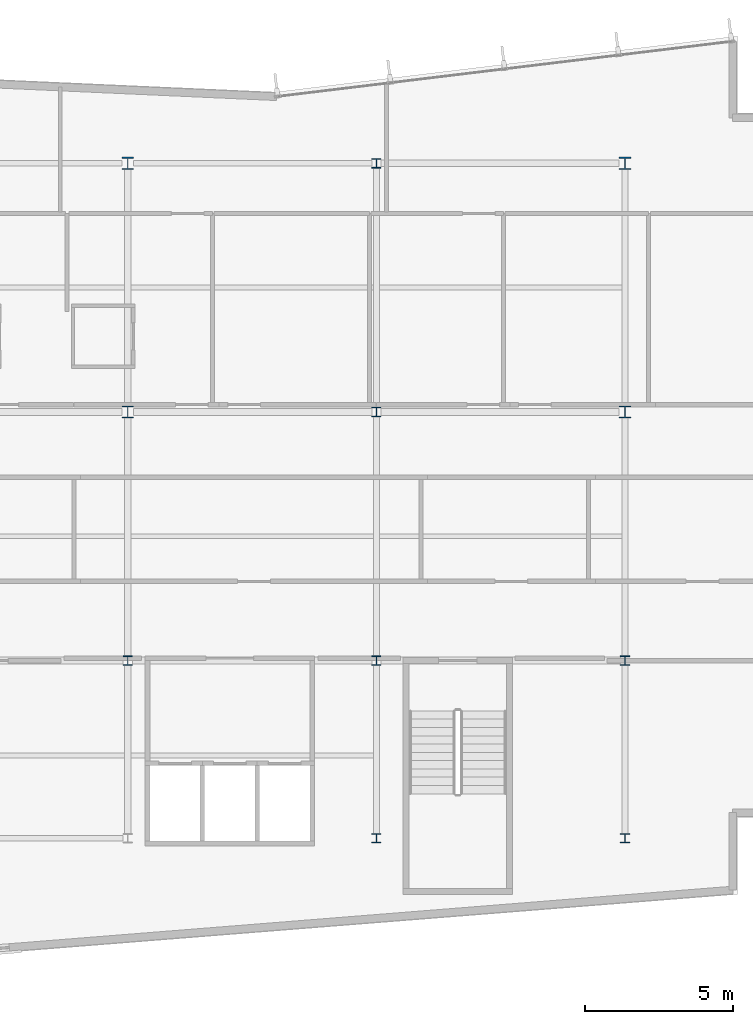
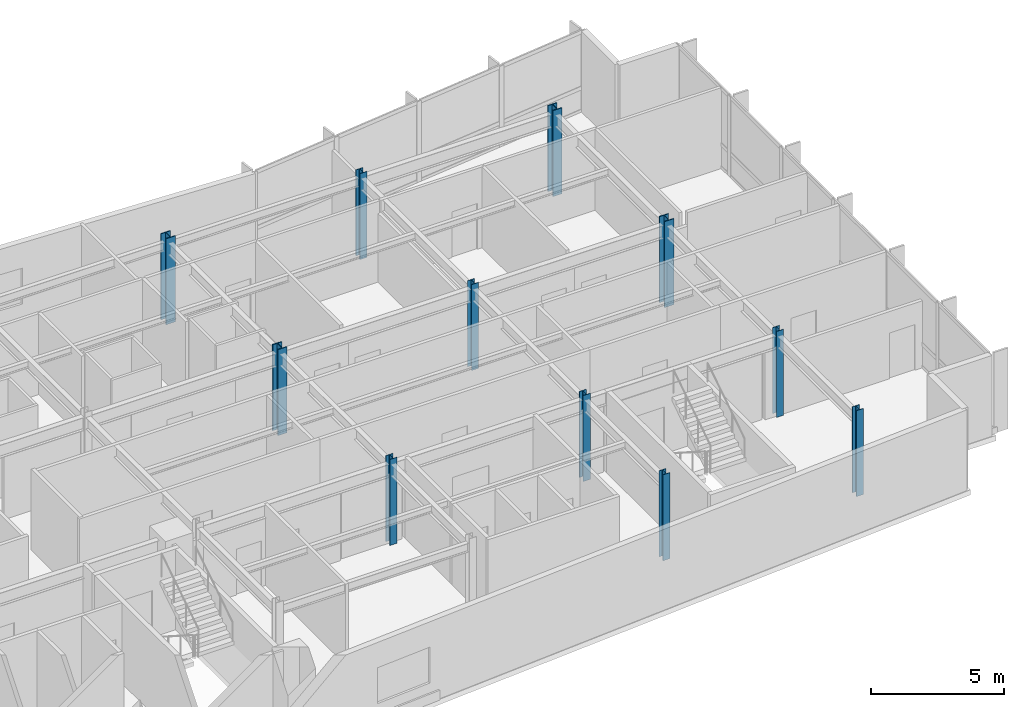
# One storey, part 2 of 19: 11 columns.
"""IFC4 building model written with IfcOpenShell, lengths in metres."""

import ifcopenshell
import ifcopenshell.guid

model = None  # the IFC model being written
_history = None  # IfcOwnerHistory: only IFC2X3 demands one
_inside = {}  # id of a spatial element -> (the spatial element, [elements in it])
_under = {}  # id of a project, library or spatial element -> (it, [spatial elements below it])
_declared = {}  # id of a project -> (the project, [libraries it declares])
_typed = {}  # id of a type object -> (the type object, [elements of that type])
_made_of = {}  # id of a material, layer set ... -> (it, [elements and type objects made of it])


def new_model(schema):
    """Start an empty IFC model of exactly this schema.

    Asked for "IFC4X3", IfcOpenShell would pick the latest addendum, in which some entities
    have other attributes; the version numbers below select the first issue.
    IFC2X3 requires an IfcOwnerHistory on every rooted entity: one is made here for all.
    """
    global model, _history
    if schema == "IFC4X3":
        model = ifcopenshell.file(schema_version=(4, 3, 0, 0))
    else:
        model = ifcopenshell.file(schema=schema)
    _inside.clear()
    _under.clear()
    _declared.clear()
    _typed.clear()
    _made_of.clear()
    _history = None
    if model.schema == "IFC2X3":
        org = make("IfcOrganization", Name="unknown")
        user = make(
            "IfcPersonAndOrganization",
            ThePerson=make("IfcPerson", FamilyName="unknown"),
            TheOrganization=org,
        )
        app = make(
            "IfcApplication",
            ApplicationDeveloper=org,
            Version="unknown",
            ApplicationFullName="unknown",
            ApplicationIdentifier="unknown",
        )
        _history = make(
            "IfcOwnerHistory",
            OwningUser=user,
            OwningApplication=app,
            ChangeAction="ADDED",
            CreationDate=0,
        )
    return model


def make(cls, **values):
    """One entity of the class cls with the attributes given. An attribute that is None is left unset."""
    return model.create_entity(
        cls, **{name: value for name, value in values.items() if value is not None}
    )


def rooted(cls, **values):
    """An entity with a GlobalId (a new one), such as an element, a storey or a relation."""
    return make(cls, GlobalId=ifcopenshell.guid.new(), OwnerHistory=_history, **values)


def si_unit(unit_type, name, prefix=None):
    """IfcSIUnit, for example si_unit("LENGTHUNIT", "METRE", prefix="MILLI")."""
    return make("IfcSIUnit", UnitType=unit_type, Prefix=prefix, Name=name)


def assignment(units):
    """IfcUnitAssignment: the units of a project."""
    return None if units is None else make("IfcUnitAssignment", Units=units)


def point(xyz):
    """IfcCartesianPoint."""
    return None if xyz is None else make("IfcCartesianPoint", Coordinates=xyz)


def direction(xyz):
    """IfcDirection."""
    return None if xyz is None else make("IfcDirection", DirectionRatios=xyz)


def frame(location, z_axis=None, x_axis=None):
    """IfcAxis2Placement3D, a coordinate frame: its origin and axes. An axis left out is left unset."""
    return make(
        "IfcAxis2Placement3D",
        Location=point(location),
        Axis=direction(z_axis),
        RefDirection=direction(x_axis),
    )


def frame_2d(location, x_axis=None):
    """IfcAxis2Placement2D, a coordinate frame in the plane: its origin and x axis."""
    return make(
        "IfcAxis2Placement2D", Location=point(location), RefDirection=direction(x_axis)
    )


def origin():
    """The frame at (0, 0, 0) with its axes left unset."""
    return frame((0.0, 0.0, 0.0))


def origin_2d():
    """The frame at (0, 0) in the plane with its x axis left unset."""
    return frame_2d((0.0, 0.0))


def place(relative_to, where):
    """IfcLocalPlacement: puts the frame where relative to a parent placement (None: the world)."""
    return make(
        "IfcLocalPlacement", PlacementRelTo=relative_to, RelativePlacement=where
    )


def context(
    kind, dimensions, precision=None, world=None, true_north=None, identifier=None
):
    """IfcGeometricRepresentationContext, for example the 3D "Model" context."""
    return make(
        "IfcGeometricRepresentationContext",
        ContextIdentifier=identifier,
        ContextType=kind,
        CoordinateSpaceDimension=dimensions,
        Precision=precision,
        WorldCoordinateSystem=world,
        TrueNorth=true_north,
    )


def subcontext(parent, identifier, kind, view, scale=None):
    """IfcGeometricRepresentationSubContext, for example "Body" below "Model"."""
    return make(
        "IfcGeometricRepresentationSubContext",
        ContextIdentifier=identifier,
        ContextType=kind,
        ParentContext=parent,
        TargetScale=scale,
        TargetView=view,
    )


def project(units=None, contexts=None):
    """IfcProject with its units and contexts."""
    return rooted(
        "IfcProject",
        Name="project",
        RepresentationContexts=contexts,
        UnitsInContext=assignment(units),
    )


def spatial(cls, under=None, at=None, **own):
    """A site, building, storey or space (cls), placed at a placement, below another one or the project."""
    s = rooted(cls, ObjectPlacement=at, **own)
    if under is not None:
        _under.setdefault(under.id(), (under, []))[1].append(s)
    return s


def profile(cls, at=None, kind="AREA", **sizes):
    """A parametric profile (cls). Its sizes go by their IFC names, for example OverallWidth=200.0."""
    return make(cls, ProfileType=kind, Position=at, **sizes)


def i_section(**sizes):
    """IfcIShapeProfileDef."""
    return profile("IfcIShapeProfileDef", **sizes)


def extrude(swept, where, along, depth):
    """IfcExtrudedAreaSolid: the profile swept, set in the frame where, extruded along a direction by depth."""
    return make(
        "IfcExtrudedAreaSolid",
        SweptArea=swept,
        Position=where,
        ExtrudedDirection=direction(along),
        Depth=depth,
    )


def shape(context_of_items, identifier, shape_type, items):
    """IfcShapeRepresentation: the items that make up one representation, for example the "Body"."""
    return make(
        "IfcShapeRepresentation",
        ContextOfItems=context_of_items,
        RepresentationIdentifier=identifier,
        RepresentationType=shape_type,
        Items=items,
    )


def material(Name=None, Category=None):
    """IfcMaterial."""
    return make("IfcMaterial", Name=Name, Category=Category)


def material_profile(
    of_material, cross_section, Name=None, Category=None, Priority=None
):
    """IfcMaterialProfile: a cross section and its material."""
    return make(
        "IfcMaterialProfile",
        Name=Name,
        Material=of_material,
        Profile=cross_section,
        Priority=Priority,
        Category=Category,
    )


def profile_set(profiles, Name=None, composite=None):
    """IfcMaterialProfileSet."""
    return make(
        "IfcMaterialProfileSet",
        Name=Name,
        MaterialProfiles=profiles,
        CompositeProfile=composite,
    )


def made_of(thing, what):
    """Note that an element or type object is made of a material, layer set ...; save() writes the relation."""
    if what is not None:
        _made_of.setdefault(what.id(), (what, []))[1].append(thing)
    return thing


def type_object(cls, material=None, **own):
    """A type object (cls), such as IfcWallType, which elements share."""
    return made_of(rooted(cls, **own), material)


def element(
    cls,
    number,
    at=None,
    inside=None,
    cuts=None,
    type_object=None,
    material=None,
    context=None,
    identifier="Body",
    shape_type=None,
    held_by="IfcProductDefinitionShape",
    body=None,
    shapes=None,
    **own,
):
    """One element of the class cls, such as IfcWall. Its Tag is "e" and its number.

    at: its placement. inside: the storey or other place that contains it. cuts: it is an
    opening in that element (IfcRelVoidsElement). A single representation is given by context,
    identifier, shape_type and body (its items); several are given by shapes. held_by: the class
    of the entity that holds the representations. save() writes the other relations.
    """
    e = rooted(cls, Tag="e%d" % number, ObjectPlacement=at, **own)
    if body is not None:
        shapes = [shape(context, identifier, shape_type, body)]
    if shapes is not None:
        e.Representation = make(held_by, Representations=shapes)
    if inside is not None:
        _inside.setdefault(inside.id(), (inside, []))[1].append(e)
    if cuts is not None:
        rooted(
            "IfcRelVoidsElement", RelatingBuildingElement=cuts, RelatedOpeningElement=e
        )
    if type_object is not None:
        _typed.setdefault(type_object.id(), (type_object, []))[1].append(e)
    return made_of(e, material)


def aggregate(whole, parts):
    """IfcRelAggregates: a whole, such as a stair, and the parts it consists of."""
    return rooted("IfcRelAggregates", RelatingObject=whole, RelatedObjects=parts)


def save(model, path):
    """Write the relations noted so far, then the file.

    IfcRelAggregates (storeys below a building ...), IfcRelContainedInSpatialStructure (elements
    in a storey), IfcRelDefinesByType, IfcRelAssociatesMaterial and IfcRelDeclares: one each for
    every whole, place, type object, material and project.
    """
    for whole, parts in _under.values():
        aggregate(whole, parts)
    for where, things in _inside.values():
        rooted(
            "IfcRelContainedInSpatialStructure",
            RelatedElements=things,
            RelatingStructure=where,
        )
    for kind, things in _typed.values():
        rooted("IfcRelDefinesByType", RelatedObjects=things, RelatingType=kind)
    for what, things in _made_of.values():
        rooted("IfcRelAssociatesMaterial", RelatedObjects=things, RelatingMaterial=what)
    for by, libraries in _declared.values():
        rooted("IfcRelDeclares", RelatingContext=by, RelatedDefinitions=libraries)
    model.write(path)


model = new_model("IFC4")

# Units and contexts
model_context = context("Model", 3, precision=1e-05, world=origin(), true_north=direction((0.0, 1.0)))
body_context = subcontext(model_context, "Body", "Model", "MODEL_VIEW")
ifc_project = project(units=[si_unit("LENGTHUNIT", "METRE"), si_unit("AREAUNIT", "SQUARE_METRE"), si_unit("VOLUMEUNIT", "CUBIC_METRE"), si_unit("PLANEANGLEUNIT", "RADIAN"), si_unit("MASSUNIT", "GRAM", prefix="KILO")], contexts=[model_context])

# Site, building, storey
site_placement = place(None, origin())
site = spatial("IfcSite", under=ifc_project, at=site_placement, CompositionType="ELEMENT")
building_placement = place(site_placement, origin())
building = spatial("IfcBuilding", under=site, at=building_placement, Name="Varnakote Quay Hospital", CompositionType="ELEMENT")
storey_placement = place(building_placement, frame((0.0, 0.0, 162.60009765625)))
storey = spatial("IfcBuildingStorey", under=building, at=storey_placement, Name="L40", CompositionType="ELEMENT", Elevation=162.60009765625)

# Columns
ifc_material_1 = material(Name="Structural steel AS/NZS 3679.1 Grade 350 L0 (fy 340 MPa)", Category="steel")
ifc_material_profile_1 = material_profile(ifc_material_1, i_section(OverallWidth=0.306884765625, OverallDepth=0.31494140625, WebThickness=0.011962890625, FlangeThickness=0.018798828125, FilletRadius=0.0166015625, at=origin_2d()), Name="310UC118")
ifc_profile_set_1 = profile_set([ifc_material_profile_1], Name="Structural steel AS/NZS 3679.1 Grade 350 L0 (fy 340 MPa)")
column_type_1 = type_object("IfcColumnType", Name="COL-STL-310UC118", PredefinedType="COLUMN", material=ifc_profile_set_1)
for number, where, z_axis, x_axis, name in (
    (1, (42.0, 6.0, 0.0), (0.0, 0.0, 1.0), (1.0, 0.0, 0.0), "L40 Structural Column C-42-6"),
    (2, (50.39990234375, 6.0, 0.0), (0.0, 0.0, 1.0), (1.0, 0.0, 0.0), "L40 Structural Column C-50-6"),
    (3, (33.60009765625, 12.0, 0.0), (0.0, 0.0, 1.0), (1.0, 0.0, 0.0), "L40 Structural Column C-34-12"),
    (4, (42.0, 12.0, 0.0), (0.0, 0.0, 1.0), (1.0, 0.0, 0.0), "L40 Structural Column C-42-12"),
    (5, (50.39990234375, 12.0, 0.0), (0.0, 0.0, 1.0), (1.0, 0.0, 0.0), "L40 Structural Column C-50-12"),
    (6, (42.0, 20.39990234375, 0.0), (0.0, 0.0, 1.0), (1.0, 0.0, 0.0), "L40 Structural Column C-42-20"),
    (7, (42.0, 28.800048828125, 0.0), (0.0, 0.0, 1.0), (1.0, 0.0, 0.0), "L40 Structural Column C-42-29"),
):
    element("IfcColumn", number, at=place(storey_placement, frame(where, z_axis=z_axis, x_axis=x_axis)), inside=storey, type_object=column_type_1, Name=name, PredefinedType="COLUMN", context=body_context, shape_type="SweptSolid", body=[
        extrude(i_section(OverallWidth=0.306884765625, OverallDepth=0.31494140625, WebThickness=0.011962890625, FlangeThickness=0.018798828125, FilletRadius=0.0166015625, at=origin_2d()), origin(), (0.0, 0.0, 1.0), 3.949951171875),
    ])
ifc_material_2 = material(Name="Structural steel AS/NZS 3678 Grade 350 (fy 340 MPa)", Category="steel")
ifc_material_profile_2 = material_profile(ifc_material_2, i_section(OverallWidth=0.39990234375, OverallDepth=0.419921875, WebThickness=0.02490234375, FlangeThickness=0.0400390625, at=origin_2d()), Name="400WC328")
ifc_profile_set_2 = profile_set([ifc_material_profile_2], Name="Structural steel AS/NZS 3678 Grade 350 (fy 340 MPa)")
column_type_2 = type_object("IfcColumnType", Name="COL-STL-400WC328", PredefinedType="COLUMN", material=ifc_profile_set_2)
for number, where, z_axis, x_axis, name in (
    (8, (33.60009765625, 20.39990234375, 0.0), (0.0, 0.0, 1.0), (1.0, 0.0, 0.0), "L40 Structural Column C-34-20"),
    (9, (50.39990234375, 20.39990234375, 0.0), (0.0, 0.0, 1.0), (1.0, 0.0, 0.0), "L40 Structural Column C-50-20"),
    (10, (33.60009765625, 28.800048828125, 0.0), (0.0, 0.0, 1.0), (1.0, 0.0, 0.0), "L40 Structural Column C-34-29"),
    (11, (50.39990234375, 28.800048828125, 0.0), (0.0, 0.0, 1.0), (1.0, 0.0, 0.0), "L40 Structural Column C-50-29"),
):
    element("IfcColumn", number, at=place(storey_placement, frame(where, z_axis=z_axis, x_axis=x_axis)), inside=storey, type_object=column_type_2, Name=name, PredefinedType="COLUMN", context=body_context, shape_type="SweptSolid", body=[
        extrude(i_section(OverallWidth=0.39990234375, OverallDepth=0.419921875, WebThickness=0.02490234375, FlangeThickness=0.0400390625, at=origin_2d()), origin(), (0.0, 0.0, 1.0), 3.949951171875),
    ])

save(model, "model.ifc")
